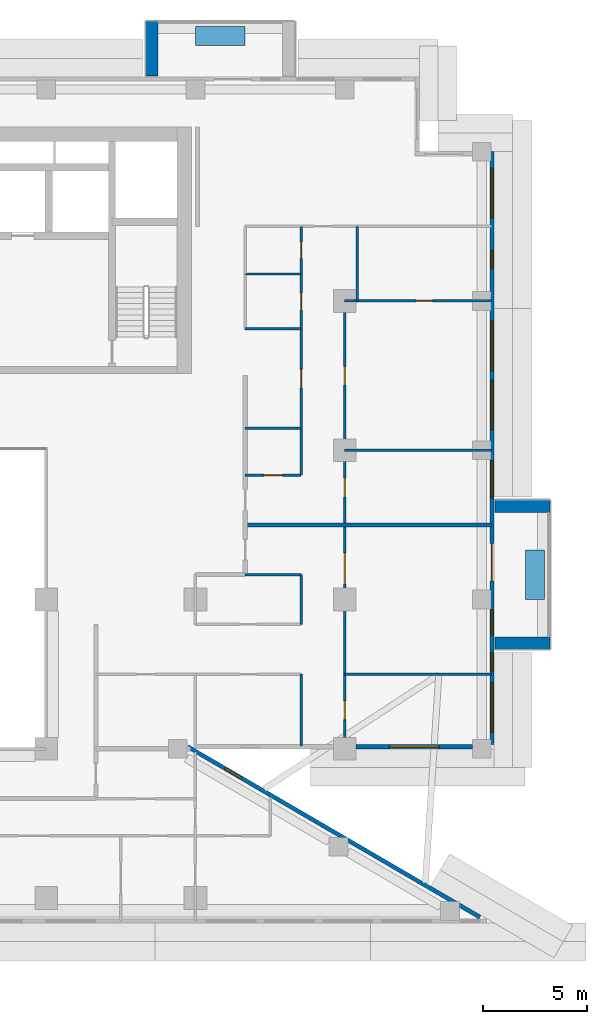
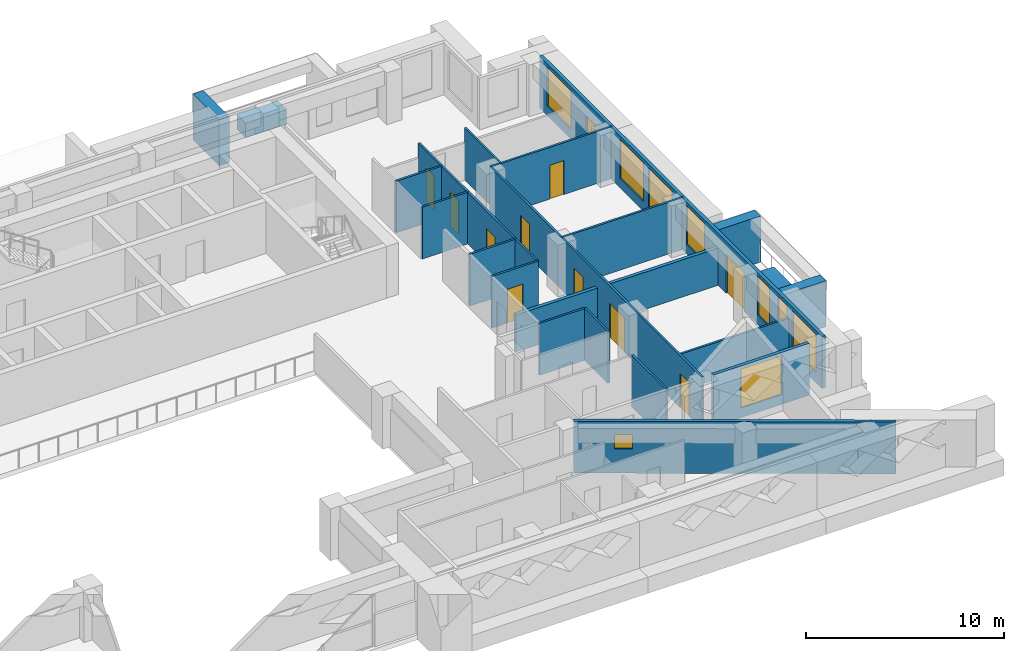
# One storey, part 11 of 19: 22 walls, 10 doors, 10 windows, 20 openings.
"""IFC4 building model written with IfcOpenShell, lengths in metres."""

from ifc_helpers import new_model, si_unit, direction, frame, frame_2d, origin, place, context, subcontext, project, spatial, rectangle, extrude, material, layer, layer_set, type_object, element, fill, save


model = new_model("IFC4")

# Units and contexts
model_context = context("Model", 3, precision=1e-05, world=origin(), true_north=direction((0.0, 1.0)))
body_context = subcontext(model_context, "Body", "Model", "MODEL_VIEW")
ifc_project = project(units=[si_unit("LENGTHUNIT", "METRE"), si_unit("AREAUNIT", "SQUARE_METRE"), si_unit("VOLUMEUNIT", "CUBIC_METRE"), si_unit("PLANEANGLEUNIT", "RADIAN"), si_unit("MASSUNIT", "GRAM", prefix="KILO")], contexts=[model_context])

# Site, building, storey
site_placement = place(None, origin())
site = spatial("IfcSite", under=ifc_project, at=site_placement, CompositionType="ELEMENT")
building_placement = place(site_placement, origin())
building = spatial("IfcBuilding", under=site, at=building_placement, Name="Saffron Iwan Residences", CompositionType="ELEMENT")
storey_placement = place(building_placement, frame((0.0, 0.0, 120.0)))
storey = spatial("IfcBuildingStorey", under=building, at=storey_placement, Name="L31", CompositionType="ELEMENT", Elevation=120.0)

# Walls
ifc_material_1 = material(Name="Concrete C50/60 white painted", Category="concrete")
ifc_layer_1 = layer(ifc_material_1, 0.60009765625)
ifc_layer_set_1 = layer_set([ifc_layer_1], Name="Concrete C50/60 white painted")
wall_type_1 = type_object("IfcWallType", Name="BALCONY FIN 600", PredefinedType="SOLIDWALL", material=ifc_layer_set_1)
for number, where, z_axis, x_axis, name in (
    (1, (86.449951171875, 53.10009765625, 0.0), (0.0, 0.0, 1.0), (1.0, 0.0, 0.0), "Balcony fin L31 F2-0a"),
    (2, (86.449951171875, 59.699951171875, 0.0), (0.0, 0.0, 1.0), (1.0, 0.0, 0.0), "Balcony fin L31 F2-0b"),
    (3, (69.89990234375, 80.449951171875, 0.0), (0.0, 0.0, 1.0), (0.0, 1.0, 0.0), "Balcony fin L31 F5-0b"),
):
    element("IfcWall", number, at=place(storey_placement, frame(where, z_axis=z_axis, x_axis=x_axis)), inside=storey, type_object=wall_type_1, Name=name, PredefinedType="SOLIDWALL", context=body_context, shape_type="SweptSolid", body=[
        extrude(rectangle(XDim=2.650146484375, YDim=0.60009765625, at=frame_2d((1.3251953125, 0.0))), origin(), (0.0, 0.0, 1.0), 2.85009765625),
    ])
ifc_material_2 = material(Name="Concrete C35/45 white painted", Category="concrete")
ifc_layer_2 = layer(ifc_material_2, 0.14990234375)
ifc_layer_set_2 = layer_set([ifc_layer_2], Name="Concrete C35/45 white painted")
wall_type_2 = type_object("IfcWallType", Name="BALCONY PLANTER", PredefinedType="SOLIDWALL", material=ifc_layer_set_2)
wall_1_placement = place(storey_placement, frame((88.375, 55.199951171875, 0.0), z_axis=(0.0, 0.0, 1.0), x_axis=(0.0, 1.0, 0.0)))
element("IfcWall", 4, at=wall_1_placement, inside=storey, type_object=wall_type_2, Name="PLANTER L31 F2-0", PredefinedType="SOLIDWALL", context=body_context, shape_type="SweptSolid", body=[
    extrude(rectangle(XDim=2.400146484375, YDim=0.89990234375, at=frame_2d((1.2001953125, 0.0))), origin(), (0.0, 0.0, 1.0), 0.89990234375),
])
wall_2_placement = place(storey_placement, frame((74.39990234375, 82.375, 0.0), z_axis=(0.0, 0.0, 1.0), x_axis=(-1.0, 0.0, 0.0)))
element("IfcWall", 5, at=wall_2_placement, inside=storey, type_object=wall_type_2, Name="PLANTER L31 F5-0", PredefinedType="SOLIDWALL", context=body_context, shape_type="SweptSolid", body=[
    extrude(rectangle(XDim=2.39990234375, YDim=0.89990234375, at=frame_2d((1.199951171875, 0.0))), origin(), (0.0, 0.0, 1.0), 0.89990234375),
])

# Wall, opening, window
ifc_material_3 = material(Name="Concrete C40/50", Category="concrete")
ifc_layer_3 = layer(ifc_material_3, 0.199951171875)
ifc_layer_set_3 = layer_set([ifc_layer_3], Name="Concrete C40/50")
wall_type_3 = type_object("IfcWallType", Name="EXTERNAL WALL 200", PredefinedType="SOLIDWALL", material=ifc_layer_set_3)
wall_3_placement = place(storey_placement, frame((85.71923828125, 39.88134765625, 0.0), z_axis=(0.0, 0.0, 1.0), x_axis=(-0.86377618652, 0.503875678716, 0.0)))
wall_3 = element("IfcWall", 6, at=wall_3_placement, inside=storey, type_object=wall_type_3, Name="External wall L31 F0.0", PredefinedType="SOLIDWALL", context=body_context, shape_type="SweptSolid", body=[
    extrude(rectangle(XDim=16.31103515625, YDim=0.199951171875, at=frame_2d((8.155517578125, 0.0))), origin(), (0.0, 0.0, 1.0), 3.199951171875),
])
opening_1_placement = place(wall_3_placement, frame((13.32568359375, 0.0, 1.5)))
opening_1 = element("IfcOpeningElement", 7, at=opening_1_placement, cuts=wall_3, Name="Opening W6", PredefinedType="OPENING", context=body_context, shape_type="SweptSolid", body=[
    extrude(rectangle(XDim=0.89990234375, YDim=0.89990234375, at=frame_2d((0.449951171875, 0.449951171875))), frame((0.0, 0.10986328125, 0.0), z_axis=(0.0, -1.0, 0.0), x_axis=(1.0, 0.0, 0.0)), (0.0, 0.0, 1.0), 0.219970703125),
])
ifc_material_4 = material(Name="Clear glass, laminated double glazed", Category="glass")
window_type_1 = type_object("IfcWindowType", Name="WINDOW 900 x 900 BATH", PartitioningType="SINGLE_PANEL", PredefinedType="WINDOW", material=ifc_material_4)
window_1_placement = place(opening_1_placement, origin())
window_1 = element("IfcWindow", 8, at=window_1_placement, inside=storey, type_object=window_type_1, Name="Window L31 F0.0", OverallHeight=0.89990234375, OverallWidth=0.89990234375, PartitioningType="SINGLE_PANEL", PredefinedType="WINDOW", context=body_context, shape_type="SweptSolid", body=[
    extrude(rectangle(XDim=0.89990234375, YDim=0.89990234375, at=frame_2d((0.449951171875, 0.449951171875))), frame((0.0, 0.030029296875, 0.0), z_axis=(0.0, -1.0, 0.0), x_axis=(1.0, 0.0, 0.0)), (0.0, 0.0, 1.0), 0.06005859375),
])
fill(opening_1, window_1)

wall_4_placement = place(storey_placement, frame((79.75, 48.10009765625, 0.0), z_axis=(0.0, 0.0, 1.0), x_axis=(1.0, 0.0, 0.0)))
wall_4 = element("IfcWall", 9, at=wall_4_placement, inside=storey, type_object=wall_type_3, Name="External wall L31 F1.1", PredefinedType="SOLIDWALL", context=body_context, shape_type="SweptSolid", body=[
    extrude(rectangle(XDim=5.60009765625, YDim=0.199951171875, at=frame_2d((2.800048828125, 0.0))), origin(), (0.0, 0.0, 1.0), 3.199951171875),
])
opening_2_placement = place(wall_4_placement, frame((1.60009765625, 0.0, 0.60009765625)))
opening_2 = element("IfcOpeningElement", 10, at=opening_2_placement, cuts=wall_4, Name="Opening W1", PredefinedType="OPENING", context=body_context, shape_type="SweptSolid", body=[
    extrude(rectangle(XDim=2.39990234375, YDim=2.39990234375, at=frame_2d((1.199951171875, 1.199951171875))), frame((0.0, 0.10986328125, 0.0), z_axis=(0.0, -1.0, 0.0), x_axis=(1.0, 0.0, 0.0)), (0.0, 0.0, 1.0), 0.219970703125),
])
window_type_2 = type_object("IfcWindowType", Name="WINDOW 2400 x 2400", PartitioningType="DOUBLE_PANEL_VERTICAL", PredefinedType="WINDOW", material=ifc_material_4)
window_2_placement = place(opening_2_placement, origin())
window_2 = element("IfcWindow", 11, at=window_2_placement, inside=storey, type_object=window_type_2, Name="Window L31 F1.0", OverallHeight=2.39990234375, OverallWidth=2.39990234375, PartitioningType="DOUBLE_PANEL_VERTICAL", PredefinedType="WINDOW", context=body_context, shape_type="SweptSolid", body=[
    extrude(rectangle(XDim=2.39990234375, YDim=2.39990234375, at=frame_2d((1.199951171875, 1.199951171875))), frame((0.0, 0.030029296875, 0.0), z_axis=(0.0, -1.0, 0.0), x_axis=(1.0, 0.0, 0.0)), (0.0, 0.0, 1.0), 0.06005859375),
])
fill(opening_2, window_2)

# Wall, openings, door, windows
wall_5_placement = place(storey_placement, frame((86.300048828125, 48.199951171875, 0.0), z_axis=(0.0, 0.0, 1.0), x_axis=(0.0, 1.0, 0.0)))
wall_5 = element("IfcWall", 12, at=wall_5_placement, inside=storey, type_object=wall_type_3, Name="External wall L31 F2.0", PredefinedType="SOLIDWALL", context=body_context, shape_type="SweptSolid", body=[
    extrude(rectangle(XDim=28.60009765625, YDim=0.199951171875, at=frame_2d((14.300048828125, 0.0))), origin(), (0.0, 0.0, 1.0), 3.199951171875),
])
opening_3_placement = place(wall_5_placement, frame((7.89990234375, 0.0, 0.0)))
opening_3 = element("IfcOpeningElement", 13, at=opening_3_placement, cuts=wall_5, Name="Opening BD1", PredefinedType="OPENING", context=body_context, shape_type="SweptSolid", body=[
    extrude(rectangle(XDim=1.800048828125, YDim=2.39990234375, at=frame_2d((0.89990234375, 1.199951171875))), frame((0.0, 0.10986328125, 0.0), z_axis=(0.0, -1.0, 0.0), x_axis=(1.0, 0.0, 0.0)), (0.0, 0.0, 1.0), 0.219970703125),
])
opening_4_placement = place(wall_5_placement, frame((0.60009765625, 0.0, 0.60009765625)))
opening_4 = element("IfcOpeningElement", 14, at=opening_4_placement, cuts=wall_5, Name="Opening W1", PredefinedType="OPENING", context=body_context, shape_type="SweptSolid", body=[
    extrude(rectangle(XDim=2.39990234375, YDim=2.39990234375, at=frame_2d((1.199951171875, 1.199951171875))), frame((0.0, 0.10986328125, 0.0), z_axis=(0.0, -1.0, 0.0), x_axis=(1.0, 0.0, 0.0)), (0.0, 0.0, 1.0), 0.219970703125),
])
opening_5_placement = place(wall_5_placement, frame((3.550048828125, 0.0, 0.60009765625)))
opening_5 = element("IfcOpeningElement", 15, at=opening_5_placement, cuts=wall_5, Name="Opening W10", PredefinedType="OPENING", context=body_context, shape_type="SweptSolid", body=[
    extrude(rectangle(XDim=0.89990234375, YDim=2.39990234375, at=frame_2d((0.449951171875, 1.199951171875))), frame((0.0, 0.10986328125, 0.0), z_axis=(0.0, -1.0, 0.0), x_axis=(1.0, 0.0, 0.0)), (0.0, 0.0, 1.0), 0.219970703125),
])
opening_6_placement = place(wall_5_placement, frame((5.300048828125, 0.0, 0.60009765625)))
opening_6 = element("IfcOpeningElement", 16, at=opening_6_placement, cuts=wall_5, Name="Opening W3", PredefinedType="OPENING", context=body_context, shape_type="SweptSolid", body=[
    extrude(rectangle(XDim=1.199951171875, YDim=2.39990234375, at=frame_2d((0.60009765625, 1.199951171875))), frame((0.0, 0.10986328125, 0.0), z_axis=(0.0, -1.0, 0.0), x_axis=(1.0, 0.0, 0.0)), (0.0, 0.0, 1.0), 0.219970703125),
])
opening_7_placement = place(wall_5_placement, frame((11.89990234375, 0.0, 0.60009765625)))
opening_7 = element("IfcOpeningElement", 17, at=opening_7_placement, cuts=wall_5, Name="Opening W8", PredefinedType="OPENING", context=body_context, shape_type="SweptSolid", body=[
    extrude(rectangle(XDim=1.800048828125, YDim=2.39990234375, at=frame_2d((0.89990234375, 1.199951171875))), frame((0.0, 0.10986328125, 0.0), z_axis=(0.0, -1.0, 0.0), x_axis=(1.0, 0.0, 0.0)), (0.0, 0.0, 1.0), 0.219970703125),
])
opening_8_placement = place(wall_5_placement, frame((15.166748046875, 0.0, 0.60009765625)))
opening_8 = element("IfcOpeningElement", 18, at=opening_8_placement, cuts=wall_5, Name="Opening W1", PredefinedType="OPENING", context=body_context, shape_type="SweptSolid", body=[
    extrude(rectangle(XDim=2.39990234375, YDim=2.39990234375, at=frame_2d((1.199951171875, 1.199951171875))), frame((0.0, 0.10986328125, 0.0), z_axis=(0.0, -1.0, 0.0), x_axis=(1.0, 0.0, 0.0)), (0.0, 0.0, 1.0), 0.219970703125),
])
opening_9_placement = place(wall_5_placement, frame((18.033203125, 0.0, 0.60009765625)))
opening_9 = element("IfcOpeningElement", 19, at=opening_9_placement, cuts=wall_5, Name="Opening W1", PredefinedType="OPENING", context=body_context, shape_type="SweptSolid", body=[
    extrude(rectangle(XDim=2.39990234375, YDim=2.39990234375, at=frame_2d((1.199951171875, 1.199951171875))), frame((0.0, 0.10986328125, 0.0), z_axis=(0.0, -1.0, 0.0), x_axis=(1.0, 0.0, 0.0)), (0.0, 0.0, 1.0), 0.219970703125),
])
opening_10_placement = place(wall_5_placement, frame((22.949951171875, 0.0, 1.5)))
opening_10 = element("IfcOpeningElement", 20, at=opening_10_placement, cuts=wall_5, Name="Opening W6", PredefinedType="OPENING", context=body_context, shape_type="SweptSolid", body=[
    extrude(rectangle(XDim=0.89990234375, YDim=0.89990234375, at=frame_2d((0.449951171875, 0.449951171875))), frame((0.0, 0.10986328125, 0.0), z_axis=(0.0, -1.0, 0.0), x_axis=(1.0, 0.0, 0.0)), (0.0, 0.0, 1.0), 0.219970703125),
])
opening_11_placement = place(wall_5_placement, frame((25.39990234375, 0.0, 0.60009765625)))
opening_11 = element("IfcOpeningElement", 21, at=opening_11_placement, cuts=wall_5, Name="Opening W1", PredefinedType="OPENING", context=body_context, shape_type="SweptSolid", body=[
    extrude(rectangle(XDim=2.39990234375, YDim=2.39990234375, at=frame_2d((1.199951171875, 1.199951171875))), frame((0.0, 0.10986328125, 0.0), z_axis=(0.0, -1.0, 0.0), x_axis=(1.0, 0.0, 0.0)), (0.0, 0.0, 1.0), 0.219970703125),
])
door_type_1 = type_object("IfcDoorType", Name="BALCONY DOOR 1800 x 2400", OperationType="DOUBLE_DOOR_SLIDING", PredefinedType="DOOR", material=ifc_material_4)
door_1_placement = place(opening_3_placement, origin())
door_1 = element("IfcDoor", 22, at=door_1_placement, inside=storey, type_object=door_type_1, Name="Balcony door L31 F2.0", OperationType="DOUBLE_DOOR_SLIDING", OverallHeight=2.39990234375, OverallWidth=1.800048828125, PredefinedType="DOOR", context=body_context, shape_type="SweptSolid", body=[
    extrude(rectangle(XDim=1.800048828125, YDim=2.39990234375, at=frame_2d((0.89990234375, 1.199951171875))), frame((0.0, 0.02490234375, 0.0), z_axis=(0.0, -1.0, 0.0), x_axis=(1.0, 0.0, 0.0)), (0.0, 0.0, 1.0), 0.050048828125),
])
fill(opening_3, door_1)
window_type_3 = type_object("IfcWindowType", Name="WINDOW 1200 x 2400", PartitioningType="SINGLE_PANEL", PredefinedType="WINDOW", material=ifc_material_4)
window_3_placement = place(opening_6_placement, origin())
window_3 = element("IfcWindow", 23, at=window_3_placement, inside=storey, type_object=window_type_3, Name="Window L31 F2.3", OverallHeight=2.39990234375, OverallWidth=1.199951171875, PartitioningType="SINGLE_PANEL", PredefinedType="WINDOW", context=body_context, shape_type="SweptSolid", body=[
    extrude(rectangle(XDim=1.199951171875, YDim=2.39990234375, at=frame_2d((0.60009765625, 1.199951171875))), frame((0.0, 0.030029296875, 0.0), z_axis=(0.0, -1.0, 0.0), x_axis=(1.0, 0.0, 0.0)), (0.0, 0.0, 1.0), 0.06005859375),
])
fill(opening_6, window_3)
window_type_4 = type_object("IfcWindowType", Name="WINDOW 1800 x 2400", PartitioningType="DOUBLE_PANEL_VERTICAL", PredefinedType="WINDOW", material=ifc_material_4)
window_4_placement = place(opening_7_placement, origin())
window_4 = element("IfcWindow", 24, at=window_4_placement, inside=storey, type_object=window_type_4, Name="Window L31 F2.4", OverallHeight=2.39990234375, OverallWidth=1.800048828125, PartitioningType="DOUBLE_PANEL_VERTICAL", PredefinedType="WINDOW", context=body_context, shape_type="SweptSolid", body=[
    extrude(rectangle(XDim=1.800048828125, YDim=2.39990234375, at=frame_2d((0.89990234375, 1.199951171875))), frame((0.0, 0.030029296875, 0.0), z_axis=(0.0, -1.0, 0.0), x_axis=(1.0, 0.0, 0.0)), (0.0, 0.0, 1.0), 0.06005859375),
])
fill(opening_7, window_4)
window_5_placement = place(opening_4_placement, origin())
window_5 = element("IfcWindow", 25, at=window_5_placement, inside=storey, type_object=window_type_2, Name="Window L31 F2.1", OverallHeight=2.39990234375, OverallWidth=2.39990234375, PartitioningType="DOUBLE_PANEL_VERTICAL", PredefinedType="WINDOW", context=body_context, shape_type="SweptSolid", body=[
    extrude(rectangle(XDim=2.39990234375, YDim=2.39990234375, at=frame_2d((1.199951171875, 1.199951171875))), frame((0.0, 0.030029296875, 0.0), z_axis=(0.0, -1.0, 0.0), x_axis=(1.0, 0.0, 0.0)), (0.0, 0.0, 1.0), 0.06005859375),
])
fill(opening_4, window_5)
window_6_placement = place(opening_8_placement, origin())
window_6 = element("IfcWindow", 26, at=window_6_placement, inside=storey, type_object=window_type_2, Name="Window L31 F2.5", OverallHeight=2.39990234375, OverallWidth=2.39990234375, PartitioningType="DOUBLE_PANEL_VERTICAL", PredefinedType="WINDOW", context=body_context, shape_type="SweptSolid", body=[
    extrude(rectangle(XDim=2.39990234375, YDim=2.39990234375, at=frame_2d((1.199951171875, 1.199951171875))), frame((0.0, 0.030029296875, 0.0), z_axis=(0.0, -1.0, 0.0), x_axis=(1.0, 0.0, 0.0)), (0.0, 0.0, 1.0), 0.06005859375),
])
fill(opening_8, window_6)
window_7_placement = place(opening_9_placement, origin())
window_7 = element("IfcWindow", 27, at=window_7_placement, inside=storey, type_object=window_type_2, Name="Window L31 F2.6", OverallHeight=2.39990234375, OverallWidth=2.39990234375, PartitioningType="DOUBLE_PANEL_VERTICAL", PredefinedType="WINDOW", context=body_context, shape_type="SweptSolid", body=[
    extrude(rectangle(XDim=2.39990234375, YDim=2.39990234375, at=frame_2d((1.199951171875, 1.199951171875))), frame((0.0, 0.030029296875, 0.0), z_axis=(0.0, -1.0, 0.0), x_axis=(1.0, 0.0, 0.0)), (0.0, 0.0, 1.0), 0.06005859375),
])
fill(opening_9, window_7)
window_8_placement = place(opening_11_placement, origin())
window_8 = element("IfcWindow", 28, at=window_8_placement, inside=storey, type_object=window_type_2, Name="Window L31 F2.8", OverallHeight=2.39990234375, OverallWidth=2.39990234375, PartitioningType="DOUBLE_PANEL_VERTICAL", PredefinedType="WINDOW", context=body_context, shape_type="SweptSolid", body=[
    extrude(rectangle(XDim=2.39990234375, YDim=2.39990234375, at=frame_2d((1.199951171875, 1.199951171875))), frame((0.0, 0.030029296875, 0.0), z_axis=(0.0, -1.0, 0.0), x_axis=(1.0, 0.0, 0.0)), (0.0, 0.0, 1.0), 0.06005859375),
])
fill(opening_11, window_8)
window_type_5 = type_object("IfcWindowType", Name="WINDOW 900 x 2400", PartitioningType="SINGLE_PANEL", PredefinedType="WINDOW", material=ifc_material_4)
window_9_placement = place(opening_5_placement, origin())
window_9 = element("IfcWindow", 29, at=window_9_placement, inside=storey, type_object=window_type_5, Name="Window L31 F2.2", OverallHeight=2.39990234375, OverallWidth=0.89990234375, PartitioningType="SINGLE_PANEL", PredefinedType="WINDOW", context=body_context, shape_type="SweptSolid", body=[
    extrude(rectangle(XDim=0.89990234375, YDim=2.39990234375, at=frame_2d((0.449951171875, 1.199951171875))), frame((0.0, 0.030029296875, 0.0), z_axis=(0.0, -1.0, 0.0), x_axis=(1.0, 0.0, 0.0)), (0.0, 0.0, 1.0), 0.06005859375),
])
fill(opening_5, window_9)
window_10_placement = place(opening_10_placement, origin())
window_10 = element("IfcWindow", 30, at=window_10_placement, inside=storey, type_object=window_type_1, Name="Window L31 F2.7", OverallHeight=0.89990234375, OverallWidth=0.89990234375, PartitioningType="SINGLE_PANEL", PredefinedType="WINDOW", context=body_context, shape_type="SweptSolid", body=[
    extrude(rectangle(XDim=0.89990234375, YDim=0.89990234375, at=frame_2d((0.449951171875, 0.449951171875))), frame((0.0, 0.030029296875, 0.0), z_axis=(0.0, -1.0, 0.0), x_axis=(1.0, 0.0, 0.0)), (0.0, 0.0, 1.0), 0.06005859375),
])
fill(opening_10, window_10)

# Walls
ifc_material_5 = material(Name="Fire-rated gypsum board wall")
ifc_layer_4 = layer(ifc_material_5, 0.199951171875)
ifc_layer_set_4 = layer_set([ifc_layer_4], Name="Fire-rated gypsum board wall")
wall_type_4 = type_object("IfcWallType", Name="Flat demising wall 200", PredefinedType="SOLIDWALL", material=ifc_layer_set_4)
wall_6_placement = place(storey_placement, frame((74.39990234375, 58.800048828125, 0.0), z_axis=(0.0, 0.0, 1.0), x_axis=(1.0, 0.0, 0.0)))
element("IfcWall", 31, at=wall_6_placement, inside=storey, type_object=wall_type_4, Name="W-L31-DEMISE-h58.8-74.4", PredefinedType="SOLIDWALL", context=body_context, shape_type="SweptSolid", body=[
    extrude(rectangle(XDim=11.875, YDim=0.199951171875, at=frame_2d((5.9375, 0.0))), origin(), (0.0, 0.0, 1.0), 2.300048828125),
])
ifc_material_6 = material(Name="Gypsum board partition")
ifc_layer_5 = layer(ifc_material_6, 0.1201171875)
ifc_layer_set_5 = layer_set([ifc_layer_5], Name="Gypsum board partition")
wall_type_5 = type_object("IfcWallType", Name="Flat partition 120", PredefinedType="PARTITIONING", material=ifc_layer_set_5)
wall_7_placement = place(storey_placement, frame((79.199951171875, 51.60009765625, 0.0), z_axis=(0.0, 0.0, 1.0), x_axis=(1.0, 0.0, 0.0)))
element("IfcWall", 32, at=wall_7_placement, inside=storey, type_object=wall_type_5, Name="W-L31-PART-h51.6-79.2", PredefinedType="PARTITIONING", context=body_context, shape_type="SweptSolid", body=[
    extrude(rectangle(XDim=7.074951171875, YDim=0.1201171875, at=frame_2d((3.53759765625, 0.0))), origin(), (0.0, 0.0, 1.0), 2.300048828125),
])
wall_8_placement = place(storey_placement, frame((74.39990234375, 56.39990234375, 0.0), z_axis=(0.0, 0.0, 1.0), x_axis=(1.0, 0.0, 0.0)))
element("IfcWall", 33, at=wall_8_placement, inside=storey, type_object=wall_type_5, Name="W-L31-PART-h56.4-74.4", PredefinedType="PARTITIONING", context=body_context, shape_type="SweptSolid", body=[
    extrude(rectangle(XDim=2.7001953125, YDim=0.1201171875, at=frame_2d((1.35009765625, 0.0))), origin(), (0.0, 0.0, 1.0), 3.199951171875),
])

# Wall, opening, door
wall_9_placement = place(storey_placement, frame((74.39990234375, 61.199951171875, 0.0), z_axis=(0.0, 0.0, 1.0), x_axis=(1.0, 0.0, 0.0)))
wall_9 = element("IfcWall", 34, at=wall_9_placement, inside=storey, type_object=wall_type_5, Name="W-L31-PART-h61.2-74.4", PredefinedType="PARTITIONING", context=body_context, shape_type="SweptSolid", body=[
    extrude(rectangle(XDim=2.7001953125, YDim=0.1201171875, at=frame_2d((1.35009765625, 0.0))), origin(), (0.0, 0.0, 1.0), 3.199951171875),
])
opening_12_placement = place(wall_9_placement, frame((0.89990234375, 0.0, 0.0)))
opening_12 = element("IfcOpeningElement", 35, at=opening_12_placement, cuts=wall_9, Name="Opening FD2", PredefinedType="OPENING", context=body_context, shape_type="SweptSolid", body=[
    extrude(rectangle(XDim=0.89990234375, YDim=2.10009765625, at=frame_2d((0.449951171875, 1.050048828125))), frame((0.0, 0.070068359375, 0.0), z_axis=(0.0, -1.0, 0.0), x_axis=(1.0, 0.0, 0.0)), (0.0, 0.0, 1.0), 0.14013671875),
])
ifc_material_7 = material(Name="Timber door", Category="wood")
door_type_2 = type_object("IfcDoorType", Name="Flat door 900", OperationType="NOTDEFINED", PredefinedType="DOOR", material=ifc_material_7)
door_2_placement = place(opening_12_placement, origin())
door_2 = element("IfcDoor", 36, at=door_2_placement, inside=storey, type_object=door_type_2, Name="Door L31-034", OperationType="SINGLE_SWING_LEFT", OverallHeight=2.10009765625, OverallWidth=0.89990234375, PredefinedType="DOOR", context=body_context, shape_type="SweptSolid", body=[
    extrude(rectangle(XDim=0.89990234375, YDim=2.10009765625, at=frame_2d((0.449951171875, 1.050048828125))), frame((0.0, 0.02490234375, 0.0), z_axis=(0.0, -1.0, 0.0), x_axis=(1.0, 0.0, 0.0)), (0.0, 0.0, 1.0), 0.050048828125),
])
fill(opening_12, door_2)

# Walls
wall_10_placement = place(storey_placement, frame((79.199951171875, 62.39990234375, 0.0), z_axis=(0.0, 0.0, 1.0), x_axis=(1.0, 0.0, 0.0)))
element("IfcWall", 37, at=wall_10_placement, inside=storey, type_object=wall_type_5, Name="W-L31-PART-h62.4-79.2", PredefinedType="PARTITIONING", context=body_context, shape_type="SweptSolid", body=[
    extrude(rectangle(XDim=7.074951171875, YDim=0.1201171875, at=frame_2d((3.53759765625, 0.0))), origin(), (0.0, 0.0, 1.0), 3.199951171875),
])
for number, where, z_axis, x_axis, name in (
    (38, (74.39990234375, 63.449951171875, 0.0), (0.0, 0.0, 1.0), (1.0, 0.0, 0.0), "W-L31-PART-h63.45-74.4"),
    (39, (74.39990234375, 68.25, 0.0), (0.0, 0.0, 1.0), (1.0, 0.0, 0.0), "W-L31-PART-h68.25-74.4"),
):
    element("IfcWall", number, at=place(storey_placement, frame(where, z_axis=z_axis, x_axis=x_axis)), inside=storey, type_object=wall_type_5, Name=name, PredefinedType="PARTITIONING", context=body_context, shape_type="SweptSolid", body=[
        extrude(rectangle(XDim=2.7001953125, YDim=0.1201171875, at=frame_2d((1.35009765625, 0.0))), origin(), (0.0, 0.0, 1.0), 3.199951171875),
    ])

# Wall, opening, door
wall_11_placement = place(storey_placement, frame((79.199951171875, 69.60009765625, 0.0), z_axis=(0.0, 0.0, 1.0), x_axis=(1.0, 0.0, 0.0)))
wall_11 = element("IfcWall", 40, at=wall_11_placement, inside=storey, type_object=wall_type_5, Name="W-L31-PART-h69.6-79.2", PredefinedType="PARTITIONING", context=body_context, shape_type="SweptSolid", body=[
    extrude(rectangle(XDim=7.074951171875, YDim=0.1201171875, at=frame_2d((3.53759765625, 0.0))), origin(), (0.0, 0.0, 1.0), 3.199951171875),
])
opening_13_placement = place(wall_11_placement, frame((3.4375, 0.0, 0.0)))
opening_13 = element("IfcOpeningElement", 41, at=opening_13_placement, cuts=wall_11, Name="Opening FD3", PredefinedType="OPENING", context=body_context, shape_type="SweptSolid", body=[
    extrude(rectangle(XDim=0.800048828125, YDim=2.10009765625, at=frame_2d((0.39990234375, 1.050048828125))), frame((0.0, 0.070068359375, 0.0), z_axis=(0.0, -1.0, 0.0), x_axis=(1.0, 0.0, 0.0)), (0.0, 0.0, 1.0), 0.14013671875),
])
door_type_3 = type_object("IfcDoorType", Name="Bathroom door 800", OperationType="NOTDEFINED", PredefinedType="DOOR", material=ifc_material_7)
door_3_placement = place(opening_13_placement, origin())
door_3 = element("IfcDoor", 42, at=door_3_placement, inside=storey, type_object=door_type_3, Name="Door L31-032", OperationType="SINGLE_SWING_LEFT", OverallHeight=2.10009765625, OverallWidth=0.800048828125, PredefinedType="DOOR", context=body_context, shape_type="SweptSolid", body=[
    extrude(rectangle(XDim=0.800048828125, YDim=2.10009765625, at=frame_2d((0.39990234375, 1.050048828125))), frame((0.0, 0.02490234375, 0.0), z_axis=(0.0, -1.0, 0.0), x_axis=(1.0, 0.0, 0.0)), (0.0, 0.0, 1.0), 0.050048828125),
])
fill(opening_13, door_3)

# Walls
wall_12_placement = place(storey_placement, frame((74.39990234375, 70.89990234375, 0.0), z_axis=(0.0, 0.0, 1.0), x_axis=(1.0, 0.0, 0.0)))
element("IfcWall", 43, at=wall_12_placement, inside=storey, type_object=wall_type_5, Name="W-L31-PART-h70.9-74.4", PredefinedType="PARTITIONING", context=body_context, shape_type="SweptSolid", body=[
    extrude(rectangle(XDim=2.7001953125, YDim=0.1201171875, at=frame_2d((1.35009765625, 0.0))), origin(), (0.0, 0.0, 1.0), 3.199951171875),
])
wall_13_placement = place(storey_placement, frame((77.10009765625, 48.125, 0.0), z_axis=(0.0, 0.0, 1.0), x_axis=(0.0, 1.0, 0.0)))
element("IfcWall", 44, at=wall_13_placement, inside=storey, type_object=wall_type_5, Name="W-L31-PART-v77.1-48.125", PredefinedType="PARTITIONING", context=body_context, shape_type="SweptSolid", body=[
    extrude(rectangle(XDim=3.47509765625, YDim=0.1201171875, at=frame_2d((1.737548828125, 0.0))), origin(), (0.0, 0.0, 1.0), 3.199951171875),
])
wall_14_placement = place(storey_placement, frame((77.10009765625, 54.0, 0.0), z_axis=(0.0, 0.0, 1.0), x_axis=(0.0, 1.0, 0.0)))
element("IfcWall", 45, at=wall_14_placement, inside=storey, type_object=wall_type_5, Name="W-L31-PART-v77.1-54", PredefinedType="PARTITIONING", context=body_context, shape_type="SweptSolid", body=[
    extrude(rectangle(XDim=2.39990234375, YDim=0.1201171875, at=frame_2d((1.199951171875, 0.0))), origin(), (0.0, 0.0, 1.0), 3.199951171875),
])

# Wall, openings, doors
wall_15_placement = place(storey_placement, frame((77.10009765625, 61.199951171875, 0.0), z_axis=(0.0, 0.0, 1.0), x_axis=(0.0, 1.0, 0.0)))
wall_15 = element("IfcWall", 46, at=wall_15_placement, inside=storey, type_object=wall_type_5, Name="W-L31-PART-v77.1-61.2", PredefinedType="PARTITIONING", context=body_context, shape_type="SweptSolid", body=[
    extrude(rectangle(XDim=12.0, YDim=0.1201171875, at=frame_2d((6.0, 0.0))), origin(), (0.0, 0.0, 1.0), 3.199951171875),
])
opening_14_placement = place(wall_15_placement, frame((4.199951171875, 0.0, 0.0)))
opening_14 = element("IfcOpeningElement", 47, at=opening_14_placement, cuts=wall_15, Name="Opening FD2", PredefinedType="OPENING", context=body_context, shape_type="SweptSolid", body=[
    extrude(rectangle(XDim=0.89990234375, YDim=2.10009765625, at=frame_2d((0.449951171875, 1.050048828125))), frame((0.0, 0.070068359375, 0.0), z_axis=(0.0, -1.0, 0.0), x_axis=(1.0, 0.0, 0.0)), (0.0, 0.0, 1.0), 0.14013671875),
])
opening_15_placement = place(wall_15_placement, frame((7.97509765625, 0.0, 0.0)))
opening_15 = element("IfcOpeningElement", 48, at=opening_15_placement, cuts=wall_15, Name="Opening FD3", PredefinedType="OPENING", context=body_context, shape_type="SweptSolid", body=[
    extrude(rectangle(XDim=0.800048828125, YDim=2.10009765625, at=frame_2d((0.39990234375, 1.050048828125))), frame((0.0, 0.070068359375, 0.0), z_axis=(0.0, -1.0, 0.0), x_axis=(1.0, 0.0, 0.0)), (0.0, 0.0, 1.0), 0.14013671875),
])
opening_16_placement = place(wall_15_placement, frame((10.449951171875, 0.0, 0.0)))
opening_16 = element("IfcOpeningElement", 49, at=opening_16_placement, cuts=wall_15, Name="Opening FD3", PredefinedType="OPENING", context=body_context, shape_type="SweptSolid", body=[
    extrude(rectangle(XDim=0.800048828125, YDim=2.10009765625, at=frame_2d((0.39990234375, 1.050048828125))), frame((0.0, 0.070068359375, 0.0), z_axis=(0.0, -1.0, 0.0), x_axis=(1.0, 0.0, 0.0)), (0.0, 0.0, 1.0), 0.14013671875),
])
door_4_placement = place(opening_15_placement, origin())
door_4 = element("IfcDoor", 50, at=door_4_placement, inside=storey, type_object=door_type_3, Name="Door L31-036", OperationType="SINGLE_SWING_RIGHT", OverallHeight=2.10009765625, OverallWidth=0.800048828125, PredefinedType="DOOR", context=body_context, shape_type="SweptSolid", body=[
    extrude(rectangle(XDim=0.800048828125, YDim=2.10009765625, at=frame_2d((0.39990234375, 1.050048828125))), frame((0.0, 0.02490234375, 0.0), z_axis=(0.0, -1.0, 0.0), x_axis=(1.0, 0.0, 0.0)), (0.0, 0.0, 1.0), 0.050048828125),
])
fill(opening_15, door_4)
door_5_placement = place(opening_16_placement, origin())
door_5 = element("IfcDoor", 51, at=door_5_placement, inside=storey, type_object=door_type_3, Name="Door L31-037", OperationType="SINGLE_SWING_LEFT", OverallHeight=2.10009765625, OverallWidth=0.800048828125, PredefinedType="DOOR", context=body_context, shape_type="SweptSolid", body=[
    extrude(rectangle(XDim=0.800048828125, YDim=2.10009765625, at=frame_2d((0.39990234375, 1.050048828125))), frame((0.0, 0.02490234375, 0.0), z_axis=(0.0, -1.0, 0.0), x_axis=(1.0, 0.0, 0.0)), (0.0, 0.0, 1.0), 0.050048828125),
])
fill(opening_16, door_5)
door_6_placement = place(opening_14_placement, origin())
door_6 = element("IfcDoor", 52, at=door_6_placement, inside=storey, type_object=door_type_2, Name="Door L31-035", OperationType="SINGLE_SWING_LEFT", OverallHeight=2.10009765625, OverallWidth=0.89990234375, PredefinedType="DOOR", context=body_context, shape_type="SweptSolid", body=[
    extrude(rectangle(XDim=0.89990234375, YDim=2.10009765625, at=frame_2d((0.449951171875, 1.050048828125))), frame((0.0, 0.02490234375, 0.0), z_axis=(0.0, -1.0, 0.0), x_axis=(1.0, 0.0, 0.0)), (0.0, 0.0, 1.0), 0.050048828125),
])
fill(opening_14, door_6)

wall_16_placement = place(storey_placement, frame((79.199951171875, 48.125, 0.0), z_axis=(0.0, 0.0, 1.0), x_axis=(0.0, 1.0, 0.0)))
wall_16 = element("IfcWall", 53, at=wall_16_placement, inside=storey, type_object=wall_type_5, Name="W-L31-PART-v79.2-48.125", PredefinedType="PARTITIONING", context=body_context, shape_type="SweptSolid", body=[
    extrude(rectangle(XDim=21.47509765625, YDim=0.1201171875, at=frame_2d((10.737548828125, 0.0))), origin(), (0.0, 0.0, 1.0), 3.199951171875),
])
opening_17_placement = place(wall_16_placement, frame((1.28759765625, 0.0, 0.0)))
opening_17 = element("IfcOpeningElement", 54, at=opening_17_placement, cuts=wall_16, Name="Opening FD2", PredefinedType="OPENING", context=body_context, shape_type="SweptSolid", body=[
    extrude(rectangle(XDim=0.89990234375, YDim=2.10009765625, at=frame_2d((0.449951171875, 1.050048828125))), frame((0.0, 0.070068359375, 0.0), z_axis=(0.0, -1.0, 0.0), x_axis=(1.0, 0.0, 0.0)), (0.0, 0.0, 1.0), 0.14013671875),
])
opening_18_placement = place(wall_16_placement, frame((7.824951171875, 0.0, 0.0)))
opening_18 = element("IfcOpeningElement", 55, at=opening_18_placement, cuts=wall_16, Name="Opening FD4", PredefinedType="OPENING", context=body_context, shape_type="SweptSolid", body=[
    extrude(rectangle(XDim=1.5, YDim=2.10009765625, at=frame_2d((0.75, 1.050048828125))), frame((0.0, 0.070068359375, 0.0), z_axis=(0.0, -1.0, 0.0), x_axis=(1.0, 0.0, 0.0)), (0.0, 0.0, 1.0), 0.14013671875),
])
opening_19_placement = place(wall_16_placement, frame((12.02490234375, 0.0, 0.0)))
opening_19 = element("IfcOpeningElement", 56, at=opening_19_placement, cuts=wall_16, Name="Opening FD2", PredefinedType="OPENING", context=body_context, shape_type="SweptSolid", body=[
    extrude(rectangle(XDim=0.89990234375, YDim=2.10009765625, at=frame_2d((0.449951171875, 1.050048828125))), frame((0.0, 0.070068359375, 0.0), z_axis=(0.0, -1.0, 0.0), x_axis=(1.0, 0.0, 0.0)), (0.0, 0.0, 1.0), 0.14013671875),
])
opening_20_placement = place(wall_16_placement, frame((17.425048828125, 0.0, 0.0)))
opening_20 = element("IfcOpeningElement", 57, at=opening_20_placement, cuts=wall_16, Name="Opening FD2", PredefinedType="OPENING", context=body_context, shape_type="SweptSolid", body=[
    extrude(rectangle(XDim=0.89990234375, YDim=2.10009765625, at=frame_2d((0.449951171875, 1.050048828125))), frame((0.0, 0.070068359375, 0.0), z_axis=(0.0, -1.0, 0.0), x_axis=(1.0, 0.0, 0.0)), (0.0, 0.0, 1.0), 0.14013671875),
])
door_type_4 = type_object("IfcDoorType", Name="Double door 1500", OperationType="NOTDEFINED", PredefinedType="DOOR", material=ifc_material_7)
door_7_placement = place(opening_18_placement, origin())
door_7 = element("IfcDoor", 58, at=door_7_placement, inside=storey, type_object=door_type_4, Name="Door L31-018", OperationType="SINGLE_SWING_LEFT", OverallHeight=2.10009765625, OverallWidth=1.5, PredefinedType="DOOR", context=body_context, shape_type="SweptSolid", body=[
    extrude(rectangle(XDim=1.5, YDim=2.10009765625, at=frame_2d((0.75, 1.050048828125))), frame((0.0, 0.02490234375, 0.0), z_axis=(0.0, -1.0, 0.0), x_axis=(1.0, 0.0, 0.0)), (0.0, 0.0, 1.0), 0.050048828125),
])
fill(opening_18, door_7)
door_8_placement = place(opening_17_placement, origin())
door_8 = element("IfcDoor", 59, at=door_8_placement, inside=storey, type_object=door_type_2, Name="Door L31-017", OperationType="SINGLE_SWING_LEFT", OverallHeight=2.10009765625, OverallWidth=0.89990234375, PredefinedType="DOOR", context=body_context, shape_type="SweptSolid", body=[
    extrude(rectangle(XDim=0.89990234375, YDim=2.10009765625, at=frame_2d((0.449951171875, 1.050048828125))), frame((0.0, 0.02490234375, 0.0), z_axis=(0.0, -1.0, 0.0), x_axis=(1.0, 0.0, 0.0)), (0.0, 0.0, 1.0), 0.050048828125),
])
fill(opening_17, door_8)
door_9_placement = place(opening_19_placement, origin())
door_9 = element("IfcDoor", 60, at=door_9_placement, inside=storey, type_object=door_type_2, Name="Door L31-030", OperationType="SINGLE_SWING_RIGHT", OverallHeight=2.10009765625, OverallWidth=0.89990234375, PredefinedType="DOOR", context=body_context, shape_type="SweptSolid", body=[
    extrude(rectangle(XDim=0.89990234375, YDim=2.10009765625, at=frame_2d((0.449951171875, 1.050048828125))), frame((0.0, 0.02490234375, 0.0), z_axis=(0.0, -1.0, 0.0), x_axis=(1.0, 0.0, 0.0)), (0.0, 0.0, 1.0), 0.050048828125),
])
fill(opening_19, door_9)
door_10_placement = place(opening_20_placement, origin())
door_10 = element("IfcDoor", 61, at=door_10_placement, inside=storey, type_object=door_type_2, Name="Door L31-031", OperationType="SINGLE_SWING_LEFT", OverallHeight=2.10009765625, OverallWidth=0.89990234375, PredefinedType="DOOR", context=body_context, shape_type="SweptSolid", body=[
    extrude(rectangle(XDim=0.89990234375, YDim=2.10009765625, at=frame_2d((0.449951171875, 1.050048828125))), frame((0.0, 0.02490234375, 0.0), z_axis=(0.0, -1.0, 0.0), x_axis=(1.0, 0.0, 0.0)), (0.0, 0.0, 1.0), 0.050048828125),
])
fill(opening_20, door_10)

# Wall
wall_17_placement = place(storey_placement, frame((79.800048828125, 69.60009765625, 0.0), z_axis=(0.0, 0.0, 1.0), x_axis=(0.0, 1.0, 0.0)))
element("IfcWall", 62, at=wall_17_placement, inside=storey, type_object=wall_type_5, Name="W-L31-PART-v79.8-69.6", PredefinedType="PARTITIONING", context=body_context, shape_type="SweptSolid", body=[
    extrude(rectangle(XDim=3.599853515625, YDim=0.1201171875, at=frame_2d((1.7998046875, 0.0))), origin(), (0.0, 0.0, 1.0), 3.199951171875),
])

save(model, "model.ifc")
